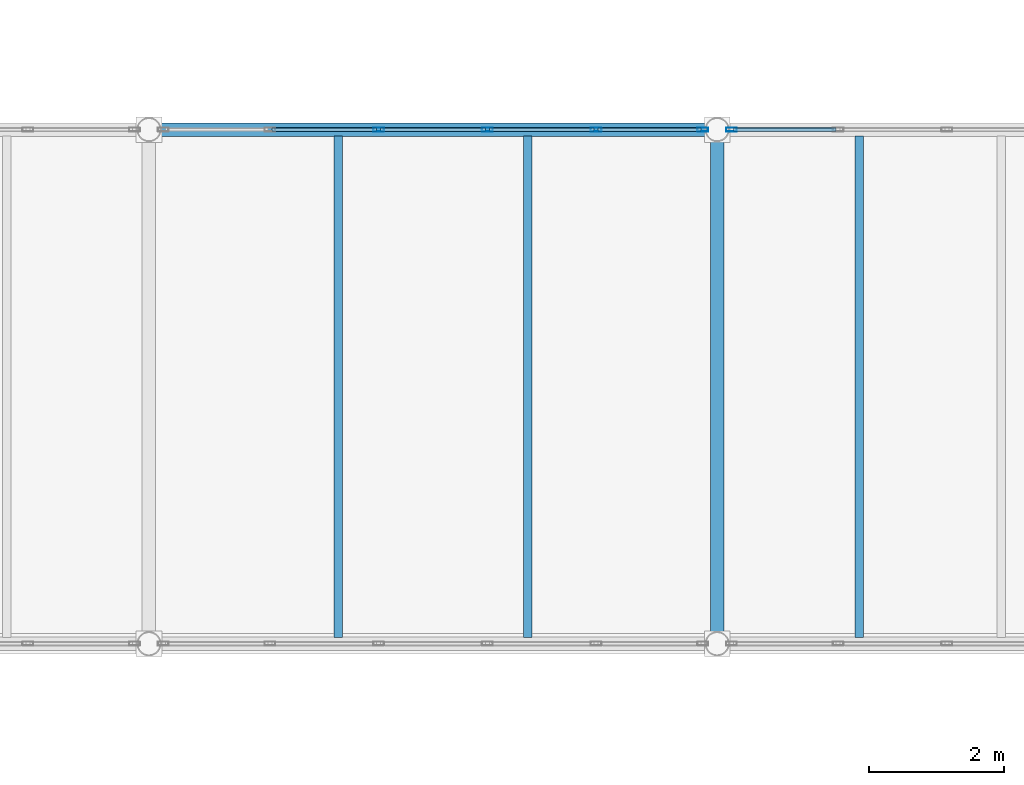
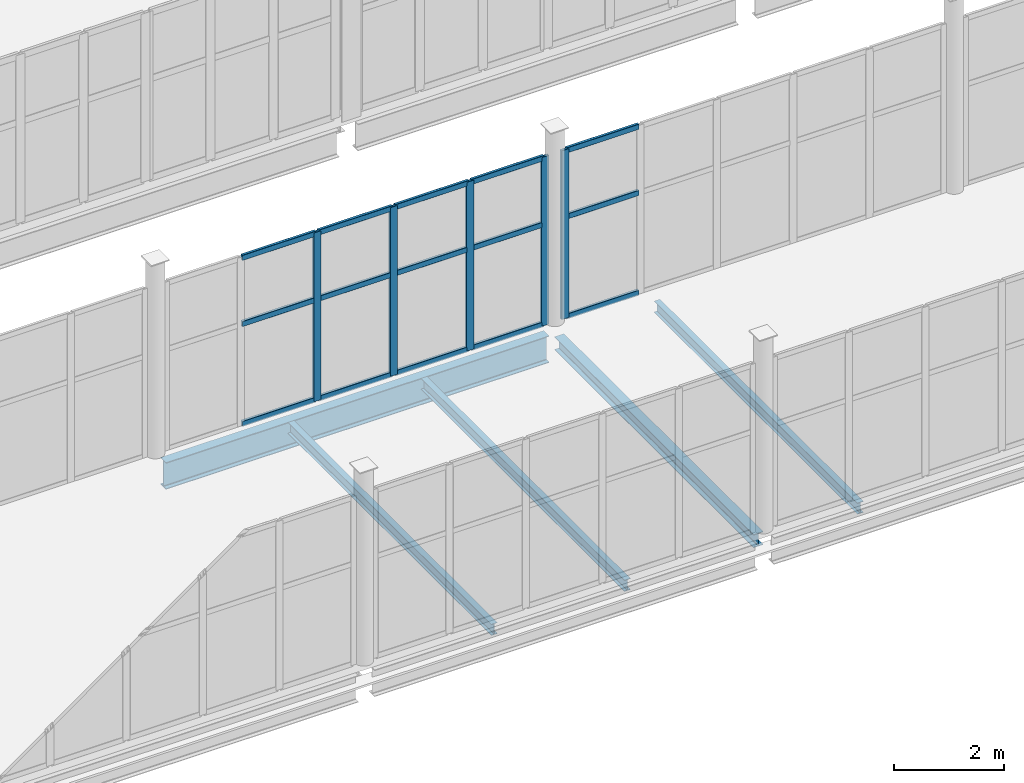
# One storey, part 48 of 172: 20 members, 5 beams, 2 elements without a shape of their own.
"""IFC4 building model written with IfcOpenShell, lengths in metres."""

from ifc_helpers import new_model, si_unit, direction, frame, origin, origin_2d, place, context, subcontext, project, spatial, hollow_rectangle, i_section, extrude, material, material_profile, profile_set, type_object, element, aggregate, save


model = new_model("IFC4")

# Units and contexts
model_context = context("Model", 3, precision=1e-05, world=origin(), true_north=direction((0.0, 1.0)))
body_context = subcontext(model_context, "Body", "Model", "MODEL_VIEW")
ifc_project = project(units=[si_unit("LENGTHUNIT", "METRE"), si_unit("AREAUNIT", "SQUARE_METRE"), si_unit("VOLUMEUNIT", "CUBIC_METRE"), si_unit("PLANEANGLEUNIT", "RADIAN"), si_unit("MASSUNIT", "GRAM", prefix="KILO")], contexts=[model_context])

# Site, building, storey
site_placement = place(None, origin())
site = spatial("IfcSite", under=ifc_project, at=site_placement, CompositionType="ELEMENT")
building_placement = place(site_placement, origin())
building = spatial("IfcBuilding", under=site, at=building_placement, Name="Shengluoqiao Park Theatre", CompositionType="ELEMENT")
storey_placement = place(building_placement, frame((0.0, 0.0, 5.39990234375)))
storey = spatial("IfcBuildingStorey", under=building, at=storey_placement, Name="L01", CompositionType="ELEMENT", Elevation=5.39990234375)

# Curtain wall, members
ifc_material_1 = material(Name="Aluminium 6063-T6", Category="aluminium")
curtain_wall_type = type_object("IfcCurtainWallType", Name="ENV-CW-BRIDGE", PredefinedType="NOTDEFINED", material=ifc_material_1)
curtain_wall_1_placement = place(storey_placement, origin())
curtain_wall_1 = element("IfcCurtainWall", 1, at=curtain_wall_1_placement, inside=storey, type_object=curtain_wall_type, Name="L01 Curtain Wall CWX-L01-0138", PredefinedType="NOTDEFINED")
ifc_material_profile_1 = material_profile(ifc_material_1, hollow_rectangle(XDim=0.06005859375, YDim=0.159912109375, WallThickness=0.00390625, InnerFilletRadius=0.00390625, OuterFilletRadius=0.008056640625, at=origin_2d()), Name="ALU MULLION 160x60x4")
ifc_profile_set_1 = profile_set([ifc_material_profile_1], Name="Aluminium 6063-T6")
member_type_1 = type_object("IfcMemberType", Name="ENV-MUL-160", PredefinedType="MULLION", material=ifc_profile_set_1)
member_1_placement = place(storey_placement, frame((64.596435546875, 60.800048828125, 0.0), z_axis=(0.0, 0.0, 1.0), x_axis=(0.0, 1.0, 0.0)))
member_1 = element("IfcMember", 2, at=member_1_placement, type_object=member_type_1, Name="CW-03 mullion 3", PredefinedType="MULLION", context=body_context, shape_type="SweptSolid", body=[
    extrude(hollow_rectangle(XDim=0.06005859375, YDim=0.159912109375, WallThickness=0.00390625, InnerFilletRadius=0.00390625, OuterFilletRadius=0.008056640625, at=origin_2d()), origin(), (0.0, 0.0, 1.0), 3.752197265625),
])
member_2_placement = place(storey_placement, frame((66.20361328125, 60.800048828125, 0.0), z_axis=(0.0, 0.0, 1.0), x_axis=(0.0, 1.0, 0.0)))
member_2 = element("IfcMember", 3, at=member_2_placement, type_object=member_type_1, Name="CW-03 mullion 4", PredefinedType="MULLION", context=body_context, shape_type="SweptSolid", body=[
    extrude(hollow_rectangle(XDim=0.06005859375, YDim=0.159912109375, WallThickness=0.00390625, InnerFilletRadius=0.00390625, OuterFilletRadius=0.008056640625, at=origin_2d()), origin(), (0.0, 0.0, 1.0), 3.752197265625),
])
member_3_placement = place(storey_placement, frame((67.810791015625, 60.800048828125, 0.0), z_axis=(0.0, 0.0, 1.0), x_axis=(0.0, 1.0, 0.0)))
member_3 = element("IfcMember", 4, at=member_3_placement, type_object=member_type_1, Name="CW-03 mullion 5", PredefinedType="MULLION", context=body_context, shape_type="SweptSolid", body=[
    extrude(hollow_rectangle(XDim=0.06005859375, YDim=0.159912109375, WallThickness=0.00390625, InnerFilletRadius=0.00390625, OuterFilletRadius=0.008056640625, at=origin_2d()), origin(), (0.0, 0.0, 1.0), 3.752197265625),
])
member_4_placement = place(storey_placement, frame((69.387939453125, 60.800048828125, 0.0), z_axis=(0.0, 0.0, 1.0), x_axis=(0.0, 1.0, 0.0)))
member_4 = element("IfcMember", 5, at=member_4_placement, type_object=member_type_1, Name="CW-03 mullion 6", PredefinedType="MULLION", context=body_context, shape_type="SweptSolid", body=[
    extrude(hollow_rectangle(XDim=0.06005859375, YDim=0.159912109375, WallThickness=0.00390625, InnerFilletRadius=0.00390625, OuterFilletRadius=0.008056640625, at=origin_2d()), origin(), (0.0, 0.0, 1.0), 3.752197265625),
])

# Curtain wall, member
curtain_wall_2_placement = place(storey_placement, origin())
curtain_wall_2 = element("IfcCurtainWall", 6, at=curtain_wall_2_placement, inside=storey, type_object=curtain_wall_type, Name="L01 Curtain Wall CWX-L01-0139", PredefinedType="NOTDEFINED")
member_5_placement = place(storey_placement, frame((69.81201171875, 60.800048828125, 0.0), z_axis=(0.0, 0.0, 1.0), x_axis=(0.0, 1.0, 0.0)))
member_5 = element("IfcMember", 7, at=member_5_placement, type_object=member_type_1, Name="CW-03 mullion 1", PredefinedType="MULLION", context=body_context, shape_type="SweptSolid", body=[
    extrude(hollow_rectangle(XDim=0.06005859375, YDim=0.159912109375, WallThickness=0.00390625, InnerFilletRadius=0.00390625, OuterFilletRadius=0.008056640625, at=origin_2d()), origin(), (0.0, 0.0, 1.0), 3.752197265625),
])

# Member
ifc_material_profile_2 = material_profile(ifc_material_1, hollow_rectangle(XDim=0.06005859375, YDim=0.1201171875, WallThickness=0.00390625, InnerFilletRadius=0.00390625, OuterFilletRadius=0.008056640625, at=origin_2d()), Name="ALU TRANSOM 120x60x4")
ifc_profile_set_2 = profile_set([ifc_material_profile_2], Name="Aluminium 6063-T6")
member_type_2 = type_object("IfcMemberType", Name="ENV-TRN-120", PredefinedType="USERDEFINED", material=ifc_profile_set_2)
member_6_placement = place(storey_placement, frame((63.019287109375, 60.800048828125, 0.030029296875), z_axis=(1.0, 0.0, 0.0), x_axis=(0.0, 1.0, 0.0)))
member_6 = element("IfcMember", 8, at=member_6_placement, type_object=member_type_2, Name="CW-03 transom 2.1", ObjectType="TRANSOM", PredefinedType="USERDEFINED", context=body_context, shape_type="SweptSolid", body=[
    extrude(hollow_rectangle(XDim=0.06005859375, YDim=0.1201171875, WallThickness=0.00390625, InnerFilletRadius=0.00390625, OuterFilletRadius=0.008056640625, at=origin_2d()), origin(), (0.0, 0.0, 1.0), 1.547119140625),
])

member_7_placement = place(storey_placement, frame((63.019287109375, 60.800048828125, 2.2509765625), z_axis=(1.0, 0.0, 0.0), x_axis=(0.0, 1.0, 0.0)))
member_7 = element("IfcMember", 9, at=member_7_placement, type_object=member_type_2, Name="CW-03 transom 2.2", ObjectType="TRANSOM", PredefinedType="USERDEFINED", context=body_context, shape_type="SweptSolid", body=[
    extrude(hollow_rectangle(XDim=0.06005859375, YDim=0.1201171875, WallThickness=0.00390625, InnerFilletRadius=0.00390625, OuterFilletRadius=0.008056640625, at=origin_2d()), origin(), (0.0, 0.0, 1.0), 1.547119140625),
])

member_8_placement = place(storey_placement, frame((63.019287109375, 60.800048828125, 3.72216796875), z_axis=(1.0, 0.0, 0.0), x_axis=(0.0, 1.0, 0.0)))
member_8 = element("IfcMember", 10, at=member_8_placement, type_object=member_type_2, Name="CW-03 transom 2.3", ObjectType="TRANSOM", PredefinedType="USERDEFINED", context=body_context, shape_type="SweptSolid", body=[
    extrude(hollow_rectangle(XDim=0.06005859375, YDim=0.1201171875, WallThickness=0.00390625, InnerFilletRadius=0.00390625, OuterFilletRadius=0.008056640625, at=origin_2d()), origin(), (0.0, 0.0, 1.0), 1.547119140625),
])

member_9_placement = place(storey_placement, frame((64.62646484375, 60.800048828125, 0.030029296875), z_axis=(1.0, 0.0, 0.0), x_axis=(0.0, 1.0, 0.0)))
member_9 = element("IfcMember", 11, at=member_9_placement, type_object=member_type_2, Name="CW-03 transom 3.1", ObjectType="TRANSOM", PredefinedType="USERDEFINED", context=body_context, shape_type="SweptSolid", body=[
    extrude(hollow_rectangle(XDim=0.06005859375, YDim=0.1201171875, WallThickness=0.00390625, InnerFilletRadius=0.00390625, OuterFilletRadius=0.008056640625, at=origin_2d()), origin(), (0.0, 0.0, 1.0), 1.547119140625),
])

member_10_placement = place(storey_placement, frame((64.62646484375, 60.800048828125, 2.2509765625), z_axis=(1.0, 0.0, 0.0), x_axis=(0.0, 1.0, 0.0)))
member_10 = element("IfcMember", 12, at=member_10_placement, type_object=member_type_2, Name="CW-03 transom 3.2", ObjectType="TRANSOM", PredefinedType="USERDEFINED", context=body_context, shape_type="SweptSolid", body=[
    extrude(hollow_rectangle(XDim=0.06005859375, YDim=0.1201171875, WallThickness=0.00390625, InnerFilletRadius=0.00390625, OuterFilletRadius=0.008056640625, at=origin_2d()), origin(), (0.0, 0.0, 1.0), 1.547119140625),
])

member_11_placement = place(storey_placement, frame((64.62646484375, 60.800048828125, 3.72216796875), z_axis=(1.0, 0.0, 0.0), x_axis=(0.0, 1.0, 0.0)))
member_11 = element("IfcMember", 13, at=member_11_placement, type_object=member_type_2, Name="CW-03 transom 3.3", ObjectType="TRANSOM", PredefinedType="USERDEFINED", context=body_context, shape_type="SweptSolid", body=[
    extrude(hollow_rectangle(XDim=0.06005859375, YDim=0.1201171875, WallThickness=0.00390625, InnerFilletRadius=0.00390625, OuterFilletRadius=0.008056640625, at=origin_2d()), origin(), (0.0, 0.0, 1.0), 1.547119140625),
])

member_12_placement = place(storey_placement, frame((66.233642578125, 60.800048828125, 0.030029296875), z_axis=(1.0, 0.0, 0.0), x_axis=(0.0, 1.0, 0.0)))
member_12 = element("IfcMember", 14, at=member_12_placement, type_object=member_type_2, Name="CW-03 transom 4.1", ObjectType="TRANSOM", PredefinedType="USERDEFINED", context=body_context, shape_type="SweptSolid", body=[
    extrude(hollow_rectangle(XDim=0.06005859375, YDim=0.1201171875, WallThickness=0.00390625, InnerFilletRadius=0.00390625, OuterFilletRadius=0.008056640625, at=origin_2d()), origin(), (0.0, 0.0, 1.0), 1.547119140625),
])

member_13_placement = place(storey_placement, frame((66.233642578125, 60.800048828125, 2.2509765625), z_axis=(1.0, 0.0, 0.0), x_axis=(0.0, 1.0, 0.0)))
member_13 = element("IfcMember", 15, at=member_13_placement, type_object=member_type_2, Name="CW-03 transom 4.2", ObjectType="TRANSOM", PredefinedType="USERDEFINED", context=body_context, shape_type="SweptSolid", body=[
    extrude(hollow_rectangle(XDim=0.06005859375, YDim=0.1201171875, WallThickness=0.00390625, InnerFilletRadius=0.00390625, OuterFilletRadius=0.008056640625, at=origin_2d()), origin(), (0.0, 0.0, 1.0), 1.547119140625),
])

member_14_placement = place(storey_placement, frame((66.233642578125, 60.800048828125, 3.72216796875), z_axis=(1.0, 0.0, 0.0), x_axis=(0.0, 1.0, 0.0)))
member_14 = element("IfcMember", 16, at=member_14_placement, type_object=member_type_2, Name="CW-03 transom 4.3", ObjectType="TRANSOM", PredefinedType="USERDEFINED", context=body_context, shape_type="SweptSolid", body=[
    extrude(hollow_rectangle(XDim=0.06005859375, YDim=0.1201171875, WallThickness=0.00390625, InnerFilletRadius=0.00390625, OuterFilletRadius=0.008056640625, at=origin_2d()), origin(), (0.0, 0.0, 1.0), 1.547119140625),
])

member_15_placement = place(storey_placement, frame((67.8408203125, 60.800048828125, 0.030029296875), z_axis=(1.0, 0.0, 0.0), x_axis=(0.0, 1.0, 0.0)))
member_15 = element("IfcMember", 17, at=member_15_placement, type_object=member_type_2, Name="CW-03 transom 5.1", ObjectType="TRANSOM", PredefinedType="USERDEFINED", context=body_context, shape_type="SweptSolid", body=[
    extrude(hollow_rectangle(XDim=0.06005859375, YDim=0.1201171875, WallThickness=0.00390625, InnerFilletRadius=0.00390625, OuterFilletRadius=0.008056640625, at=origin_2d()), origin(), (0.0, 0.0, 1.0), 1.51708984375),
])

member_16_placement = place(storey_placement, frame((67.8408203125, 60.800048828125, 2.2509765625), z_axis=(1.0, 0.0, 0.0), x_axis=(0.0, 1.0, 0.0)))
member_16 = element("IfcMember", 18, at=member_16_placement, type_object=member_type_2, Name="CW-03 transom 5.2", ObjectType="TRANSOM", PredefinedType="USERDEFINED", context=body_context, shape_type="SweptSolid", body=[
    extrude(hollow_rectangle(XDim=0.06005859375, YDim=0.1201171875, WallThickness=0.00390625, InnerFilletRadius=0.00390625, OuterFilletRadius=0.008056640625, at=origin_2d()), origin(), (0.0, 0.0, 1.0), 1.51708984375),
])

member_17_placement = place(storey_placement, frame((67.8408203125, 60.800048828125, 3.72216796875), z_axis=(1.0, 0.0, 0.0), x_axis=(0.0, 1.0, 0.0)))
member_17 = element("IfcMember", 19, at=member_17_placement, type_object=member_type_2, Name="CW-03 transom 5.3", ObjectType="TRANSOM", PredefinedType="USERDEFINED", context=body_context, shape_type="SweptSolid", body=[
    extrude(hollow_rectangle(XDim=0.06005859375, YDim=0.1201171875, WallThickness=0.00390625, InnerFilletRadius=0.00390625, OuterFilletRadius=0.008056640625, at=origin_2d()), origin(), (0.0, 0.0, 1.0), 1.51708984375),
])

aggregate(curtain_wall_1, [member_1, member_2, member_3, member_4, member_6, member_7, member_8, member_9, member_10, member_11, member_12, member_13, member_14, member_15, member_16, member_17])

member_18_placement = place(storey_placement, frame((69.842041015625, 60.800048828125, 0.030029296875), z_axis=(1.0, 0.0, 0.0), x_axis=(0.0, 1.0, 0.0)))
member_18 = element("IfcMember", 20, at=member_18_placement, type_object=member_type_2, Name="CW-03 transom 1.1", ObjectType="TRANSOM", PredefinedType="USERDEFINED", context=body_context, shape_type="SweptSolid", body=[
    extrude(hollow_rectangle(XDim=0.06005859375, YDim=0.1201171875, WallThickness=0.00390625, InnerFilletRadius=0.00390625, OuterFilletRadius=0.008056640625, at=origin_2d()), origin(), (0.0, 0.0, 1.0), 1.51708984375),
])

member_19_placement = place(storey_placement, frame((69.842041015625, 60.800048828125, 2.2509765625), z_axis=(1.0, 0.0, 0.0), x_axis=(0.0, 1.0, 0.0)))
member_19 = element("IfcMember", 21, at=member_19_placement, type_object=member_type_2, Name="CW-03 transom 1.2", ObjectType="TRANSOM", PredefinedType="USERDEFINED", context=body_context, shape_type="SweptSolid", body=[
    extrude(hollow_rectangle(XDim=0.06005859375, YDim=0.1201171875, WallThickness=0.00390625, InnerFilletRadius=0.00390625, OuterFilletRadius=0.008056640625, at=origin_2d()), origin(), (0.0, 0.0, 1.0), 1.51708984375),
])

member_20_placement = place(storey_placement, frame((69.842041015625, 60.800048828125, 3.72216796875), z_axis=(1.0, 0.0, 0.0), x_axis=(0.0, 1.0, 0.0)))
member_20 = element("IfcMember", 22, at=member_20_placement, type_object=member_type_2, Name="CW-03 transom 1.3", ObjectType="TRANSOM", PredefinedType="USERDEFINED", context=body_context, shape_type="SweptSolid", body=[
    extrude(hollow_rectangle(XDim=0.06005859375, YDim=0.1201171875, WallThickness=0.00390625, InnerFilletRadius=0.00390625, OuterFilletRadius=0.008056640625, at=origin_2d()), origin(), (0.0, 0.0, 1.0), 1.51708984375),
])

aggregate(curtain_wall_2, [member_5, member_18, member_19, member_20])

# Beams
ifc_material_2 = material(Name="Steel Q355", Category="steel")
ifc_material_profile_3 = material_profile(ifc_material_2, i_section(OverallWidth=0.199951171875, OverallDepth=0.2939453125, WebThickness=0.008056640625, FlangeThickness=0.011962890625, FilletRadius=0.01611328125, at=origin_2d()), Name="HM 294x200x8x12")
ifc_profile_set_3 = profile_set([ifc_material_profile_3], Name="Steel Q355")
beam_type_1 = type_object("IfcBeamType", Name="STR-BM-G-HM294", PredefinedType="BEAM", material=ifc_profile_set_3)
beam_1_placement = place(storey_placement, frame((69.60009765625, 53.3720703125, -0.35693359375), z_axis=(0.0, 1.0, 0.0), x_axis=(-1.0, 0.0, 0.0)))
element("IfcBeam", 23, at=beam_1_placement, inside=storey, type_object=beam_type_1, Name="L01 Transverse Girder 00589", PredefinedType="BEAM", context=body_context, shape_type="SweptSolid", body=[
    extrude(i_section(OverallWidth=0.199951171875, OverallDepth=0.2939453125, WebThickness=0.008056640625, FlangeThickness=0.011962890625, FilletRadius=0.01611328125, at=origin_2d()), origin(), (0.0, 0.0, 1.0), 7.255859375),
])
ifc_material_profile_4 = material_profile(ifc_material_2, i_section(OverallWidth=0.125, OverallDepth=0.25, WebThickness=0.006103515625, FlangeThickness=0.009033203125, FilletRadius=0.010009765625, at=origin_2d()), Name="HN 250x125x6x9")
ifc_profile_set_4 = profile_set([ifc_material_profile_4], Name="Steel Q355")
beam_type_2 = type_object("IfcBeamType", Name="STR-BM-J-HN250", PredefinedType="JOIST", material=ifc_profile_set_4)
for number, where, z_axis, x_axis, name in (
    (24, (64.0, 53.29443359375, -0.3349609375), (0.0, 1.0, 0.0), (-1.0, 0.0, 0.0), "L01 Composite Joist 00605"),
    (25, (66.800048828125, 53.29443359375, -0.3349609375), (0.0, 1.0, 0.0), (-1.0, 0.0, 0.0), "L01 Composite Joist 00606"),
    (26, (71.699951171875, 53.29443359375, -0.3349609375), (0.0, 1.0, 0.0), (-1.0, 0.0, 0.0), "L01 Composite Joist 00607"),
):
    element("IfcBeam", number, at=place(storey_placement, frame(where, z_axis=z_axis, x_axis=x_axis)), inside=storey, type_object=beam_type_2, Name=name, PredefinedType="JOIST", context=body_context, shape_type="SweptSolid", body=[
        extrude(i_section(OverallWidth=0.125, OverallDepth=0.25, WebThickness=0.006103515625, FlangeThickness=0.009033203125, FilletRadius=0.010009765625, at=origin_2d()), origin(), (0.0, 0.0, 1.0), 7.4111328125),
    ])
ifc_material_profile_5 = material_profile(ifc_material_2, i_section(OverallWidth=0.198974609375, OverallDepth=0.595947265625, WebThickness=0.010009765625, FlangeThickness=0.014892578125, FilletRadius=0.02001953125, at=origin_2d()), Name="HN 596x199x10x15")
ifc_profile_set_5 = profile_set([ifc_material_profile_5], Name="Steel Q355")
beam_type_3 = type_object("IfcBeamType", Name="STR-BM-SP-HN596", PredefinedType="SPANDREL", material=ifc_profile_set_5)
beam_2_placement = place(storey_placement, frame((61.3720703125, 60.800048828125, -0.5078125), z_axis=(1.0, 0.0, 0.0), x_axis=(0.0, 1.0, 0.0)))
element("IfcBeam", 27, at=beam_2_placement, inside=storey, type_object=beam_type_3, Name="L01 Primary Girder 00576", PredefinedType="SPANDREL", context=body_context, shape_type="SweptSolid", body=[
    extrude(i_section(OverallWidth=0.198974609375, OverallDepth=0.595947265625, WebThickness=0.010009765625, FlangeThickness=0.014892578125, FilletRadius=0.02001953125, at=origin_2d()), origin(), (0.0, 0.0, 1.0), 8.055908203125),
])

save(model, "model.ifc")
